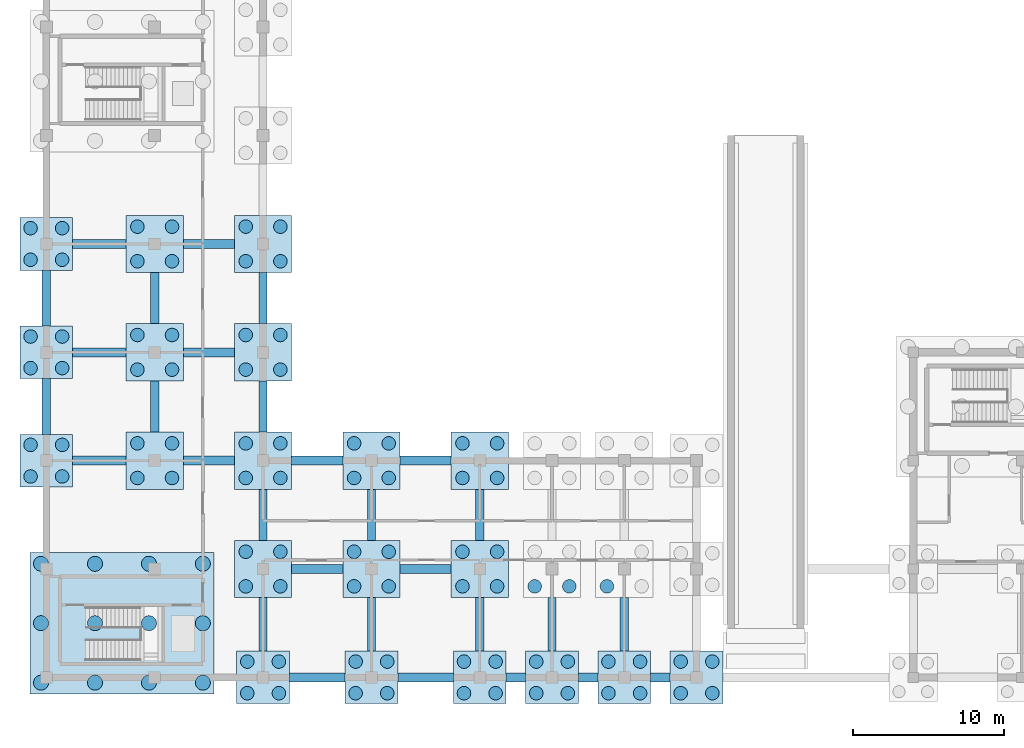
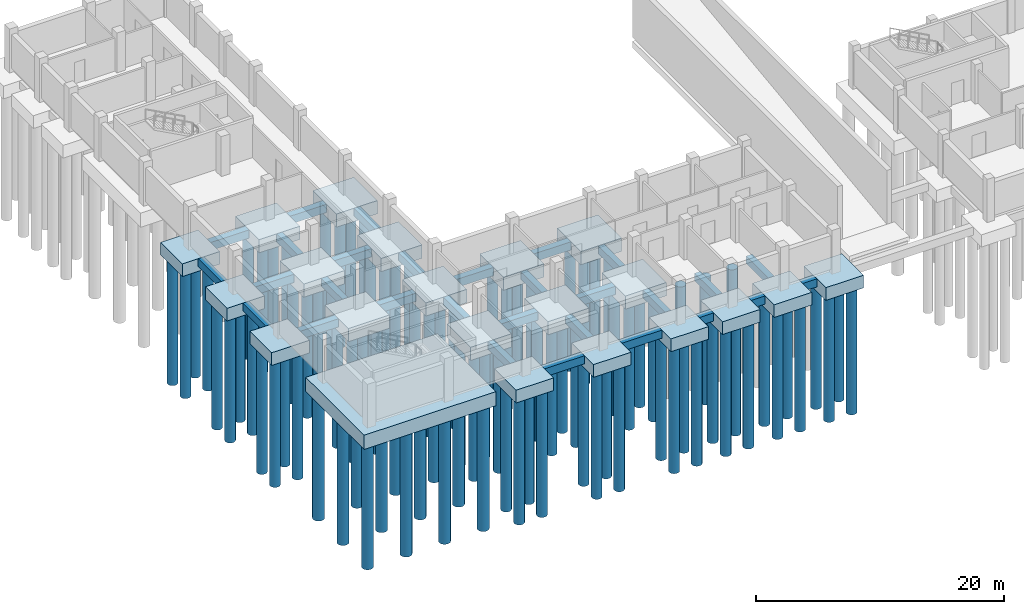
# One storey, part 1 of 10: 95 piles, 50 footings.
"""IFC4 building model written with IfcOpenShell, lengths in metres."""

from ifc_helpers import new_model, si_unit, direction, frame, origin, origin_2d, place, context, subcontext, project, spatial, rectangle, circle, extrude, material, material_profile, profile_set, type_object, element, save


model = new_model("IFC4")

# Units and contexts
model_context = context("Model", 3, precision=1e-05, world=origin(), true_north=direction((0.0, 1.0)))
body_context = subcontext(model_context, "Body", "Model", "MODEL_VIEW")
ifc_project = project(units=[si_unit("LENGTHUNIT", "METRE"), si_unit("AREAUNIT", "SQUARE_METRE"), si_unit("VOLUMEUNIT", "CUBIC_METRE"), si_unit("PLANEANGLEUNIT", "RADIAN"), si_unit("MASSUNIT", "GRAM", prefix="KILO")], contexts=[model_context])

# Site, building, storey
site_placement = place(None, origin())
site = spatial("IfcSite", under=ifc_project, at=site_placement, CompositionType="ELEMENT")
building_placement = place(site_placement, origin())
building = spatial("IfcBuilding", under=site, at=building_placement, Name="Zornivar Specialist Clinic", CompositionType="ELEMENT")
storey_placement = place(building_placement, frame((0.0, 0.0, -4.199951171875)))
storey = spatial("IfcBuildingStorey", under=building, at=storey_placement, Name="B1", CompositionType="ELEMENT", Elevation=-4.199951171875)

# Footings
ifc_material_1 = material(Name="Concrete C30/37", Category="concrete")
ifc_material_profile_1 = material_profile(ifc_material_1, rectangle(XDim=0.550048828125, YDim=0.75, at=origin_2d()), Name="RC 550x750")
ifc_profile_set_1 = profile_set([ifc_material_profile_1], Name="Concrete C30/37")
footing_type_1 = type_object("IfcFootingType", Name="FTG-GB-550x750", PredefinedType="FOOTING_BEAM", material=ifc_profile_set_1)
footing_1_placement = place(storey_placement, frame((0.0, 16.14990234375, -0.775146484375), z_axis=(0.0, 1.0, 0.0), x_axis=(-1.0, 0.0, 0.0)))
element("IfcFooting", 1, at=footing_1_placement, inside=storey, type_object=footing_type_1, Name="gb:B1:y:0:162", PredefinedType="FOOTING_BEAM", context=body_context, shape_type="SweptSolid", body=[
    extrude(rectangle(XDim=0.550048828125, YDim=0.75, at=origin_2d()), origin(), (0.0, 0.0, 1.0), 3.7001953125),
])
footing_2_placement = place(storey_placement, frame((0.0, 23.35009765625, -0.775146484375), z_axis=(0.0, 1.0, 0.0), x_axis=(-1.0, 0.0, 0.0)))
element("IfcFooting", 2, at=footing_2_placement, inside=storey, type_object=footing_type_1, Name="gb:B1:y:0:234", PredefinedType="FOOTING_BEAM", context=body_context, shape_type="SweptSolid", body=[
    extrude(rectangle(XDim=0.550048828125, YDim=0.75, at=origin_2d()), origin(), (0.0, 0.0, 1.0), 3.699951171875),
])
for number, where, z_axis, x_axis, name in (
    (3, (7.199951171875, 16.300048828125, -0.775146484375), (0.0, 1.0, 0.0), (-1.0, 0.0, 0.0), "gb:B1:y:72:163"),
    (4, (7.199951171875, 23.5, -0.775146484375), (0.0, 1.0, 0.0), (-1.0, 0.0, 0.0), "gb:B1:y:72:235"),
):
    element("IfcFooting", number, at=place(storey_placement, frame(where, z_axis=z_axis, x_axis=x_axis)), inside=storey, type_object=footing_type_1, Name=name, PredefinedType="FOOTING_BEAM", context=body_context, shape_type="SweptSolid", body=[
        extrude(rectangle(XDim=0.550048828125, YDim=0.75, at=origin_2d()), origin(), (0.0, 0.0, 1.0), 3.39990234375),
    ])
footing_3_placement = place(storey_placement, frame((14.39990234375, 1.75, -0.775146484375), z_axis=(0.0, 1.0, 0.0), x_axis=(-1.0, 0.0, 0.0)))
element("IfcFooting", 5, at=footing_3_placement, inside=storey, type_object=footing_type_1, Name="gb:B1:y:144:18", PredefinedType="FOOTING_BEAM", context=body_context, shape_type="SweptSolid", body=[
    extrude(rectangle(XDim=0.550048828125, YDim=0.75, at=origin_2d()), origin(), (0.0, 0.0, 1.0), 3.550048828125),
])
for number, where, z_axis, x_axis, name in (
    (6, (14.39990234375, 9.10009765625, -0.775146484375), (0.0, 1.0, 0.0), (-1.0, 0.0, 0.0), "gb:B1:y:144:91"),
    (7, (14.39990234375, 16.300048828125, -0.775146484375), (0.0, 1.0, 0.0), (-1.0, 0.0, 0.0), "gb:B1:y:144:163"),
    (8, (14.39990234375, 23.5, -0.775146484375), (0.0, 1.0, 0.0), (-1.0, 0.0, 0.0), "gb:B1:y:144:235"),
):
    element("IfcFooting", number, at=place(storey_placement, frame(where, z_axis=z_axis, x_axis=x_axis)), inside=storey, type_object=footing_type_1, Name=name, PredefinedType="FOOTING_BEAM", context=body_context, shape_type="SweptSolid", body=[
        extrude(rectangle(XDim=0.550048828125, YDim=0.75, at=origin_2d()), origin(), (0.0, 0.0, 1.0), 3.39990234375),
    ])
footing_4_placement = place(storey_placement, frame((21.60009765625, 1.75, -0.775146484375), z_axis=(0.0, 1.0, 0.0), x_axis=(-1.0, 0.0, 0.0)))
element("IfcFooting", 9, at=footing_4_placement, inside=storey, type_object=footing_type_1, Name="gb:B1:y:216:18", PredefinedType="FOOTING_BEAM", context=body_context, shape_type="SweptSolid", body=[
    extrude(rectangle(XDim=0.550048828125, YDim=0.75, at=origin_2d()), origin(), (0.0, 0.0, 1.0), 3.550048828125),
])
footing_5_placement = place(storey_placement, frame((21.60009765625, 9.10009765625, -0.775146484375), z_axis=(0.0, 1.0, 0.0), x_axis=(-1.0, 0.0, 0.0)))
element("IfcFooting", 10, at=footing_5_placement, inside=storey, type_object=footing_type_1, Name="gb:B1:y:216:91", PredefinedType="FOOTING_BEAM", context=body_context, shape_type="SweptSolid", body=[
    extrude(rectangle(XDim=0.550048828125, YDim=0.75, at=origin_2d()), origin(), (0.0, 0.0, 1.0), 3.39990234375),
])
footing_6_placement = place(storey_placement, frame((28.800048828125, 1.75, -0.775146484375), z_axis=(0.0, 1.0, 0.0), x_axis=(-1.0, 0.0, 0.0)))
element("IfcFooting", 11, at=footing_6_placement, inside=storey, type_object=footing_type_1, Name="gb:B1:y:288:18", PredefinedType="FOOTING_BEAM", context=body_context, shape_type="SweptSolid", body=[
    extrude(rectangle(XDim=0.550048828125, YDim=0.75, at=origin_2d()), origin(), (0.0, 0.0, 1.0), 3.550048828125),
])
footing_7_placement = place(storey_placement, frame((28.800048828125, 9.10009765625, -0.775146484375), z_axis=(0.0, 1.0, 0.0), x_axis=(-1.0, 0.0, 0.0)))
element("IfcFooting", 12, at=footing_7_placement, inside=storey, type_object=footing_type_1, Name="gb:B1:y:288:91", PredefinedType="FOOTING_BEAM", context=body_context, shape_type="SweptSolid", body=[
    extrude(rectangle(XDim=0.550048828125, YDim=0.75, at=origin_2d()), origin(), (0.0, 0.0, 1.0), 3.39990234375),
])
for number, where, z_axis, x_axis, name in (
    (13, (33.60009765625, 1.75, -0.775146484375), (0.0, 1.0, 0.0), (-1.0, 0.0, 0.0), "gb:B1:y:336:18"),
    (14, (38.39990234375, 1.75, -0.775146484375), (0.0, 1.0, 0.0), (-1.0, 0.0, 0.0), "gb:B1:y:384:18"),
):
    element("IfcFooting", number, at=place(storey_placement, frame(where, z_axis=z_axis, x_axis=x_axis)), inside=storey, type_object=footing_type_1, Name=name, PredefinedType="FOOTING_BEAM", context=body_context, shape_type="SweptSolid", body=[
        extrude(rectangle(XDim=0.550048828125, YDim=0.75, at=origin_2d()), origin(), (0.0, 0.0, 1.0), 3.550048828125),
    ])
ifc_material_2 = material(Name="Concrete C30/37", Category="concrete")
ifc_material_profile_2 = material_profile(ifc_material_2, rectangle(XDim=0.60009765625, YDim=0.800048828125, at=origin_2d()), Name="RC 600x800")
ifc_profile_set_2 = profile_set([ifc_material_profile_2], Name="Concrete C30/37")
footing_type_2 = type_object("IfcFootingType", Name="FTG-GB-600x800", PredefinedType="FOOTING_BEAM", material=ifc_profile_set_2)
footing_8_placement = place(storey_placement, frame((16.14990234375, 0.0, -0.800048828125), z_axis=(1.0, 0.0, 0.0), x_axis=(0.0, 1.0, 0.0)))
element("IfcFooting", 15, at=footing_8_placement, inside=storey, type_object=footing_type_2, Name="gb:B1:x:0:162", PredefinedType="FOOTING_BEAM", context=body_context, shape_type="SweptSolid", body=[
    extrude(rectangle(XDim=0.60009765625, YDim=0.800048828125, at=origin_2d()), origin(), (0.0, 0.0, 1.0), 3.7001953125),
])
footing_9_placement = place(storey_placement, frame((23.35009765625, 0.0, -0.800048828125), z_axis=(1.0, 0.0, 0.0), x_axis=(0.0, 1.0, 0.0)))
element("IfcFooting", 16, at=footing_9_placement, inside=storey, type_object=footing_type_2, Name="gb:B1:x:0:234", PredefinedType="FOOTING_BEAM", context=body_context, shape_type="SweptSolid", body=[
    extrude(rectangle(XDim=0.60009765625, YDim=0.800048828125, at=origin_2d()), origin(), (0.0, 0.0, 1.0), 3.699951171875),
])
footing_10_placement = place(storey_placement, frame((30.550048828125, 0.0, -0.800048828125), z_axis=(1.0, 0.0, 0.0), x_axis=(0.0, 1.0, 0.0)))
element("IfcFooting", 17, at=footing_10_placement, inside=storey, type_object=footing_type_2, Name="gb:B1:x:0:306", PredefinedType="FOOTING_BEAM", context=body_context, shape_type="SweptSolid", body=[
    extrude(rectangle(XDim=0.60009765625, YDim=0.800048828125, at=origin_2d()), origin(), (0.0, 0.0, 1.0), 1.300048828125),
])
footing_11_placement = place(storey_placement, frame((35.35009765625, 0.0, -0.800048828125), z_axis=(1.0, 0.0, 0.0), x_axis=(0.0, 1.0, 0.0)))
element("IfcFooting", 18, at=footing_11_placement, inside=storey, type_object=footing_type_2, Name="gb:B1:x:0:354", PredefinedType="FOOTING_BEAM", context=body_context, shape_type="SweptSolid", body=[
    extrude(rectangle(XDim=0.60009765625, YDim=0.800048828125, at=origin_2d()), origin(), (0.0, 0.0, 1.0), 1.2998046875),
])
footing_12_placement = place(storey_placement, frame((40.14990234375, 0.0, -0.800048828125), z_axis=(1.0, 0.0, 0.0), x_axis=(0.0, 1.0, 0.0)))
element("IfcFooting", 19, at=footing_12_placement, inside=storey, type_object=footing_type_2, Name="gb:B1:x:0:402", PredefinedType="FOOTING_BEAM", context=body_context, shape_type="SweptSolid", body=[
    extrude(rectangle(XDim=0.60009765625, YDim=0.800048828125, at=origin_2d()), origin(), (0.0, 0.0, 1.0), 1.300048828125),
])
for number, where, z_axis, x_axis, name in (
    (20, (16.300048828125, 7.199951171875, -0.800048828125), (1.0, 0.0, 0.0), (0.0, 1.0, 0.0), "gb:B1:x:72:163"),
    (21, (23.5, 7.199951171875, -0.800048828125), (1.0, 0.0, 0.0), (0.0, 1.0, 0.0), "gb:B1:x:72:235"),
):
    element("IfcFooting", number, at=place(storey_placement, frame(where, z_axis=z_axis, x_axis=x_axis)), inside=storey, type_object=footing_type_2, Name=name, PredefinedType="FOOTING_BEAM", context=body_context, shape_type="SweptSolid", body=[
        extrude(rectangle(XDim=0.60009765625, YDim=0.800048828125, at=origin_2d()), origin(), (0.0, 0.0, 1.0), 3.39990234375),
    ])
footing_13_placement = place(storey_placement, frame((1.75, 14.39990234375, -0.800048828125), z_axis=(1.0, 0.0, 0.0), x_axis=(0.0, 1.0, 0.0)))
element("IfcFooting", 22, at=footing_13_placement, inside=storey, type_object=footing_type_2, Name="gb:B1:x:144:18", PredefinedType="FOOTING_BEAM", context=body_context, shape_type="SweptSolid", body=[
    extrude(rectangle(XDim=0.60009765625, YDim=0.800048828125, at=origin_2d()), origin(), (0.0, 0.0, 1.0), 3.550048828125),
])
for number, where, z_axis, x_axis, name in (
    (23, (9.10009765625, 14.39990234375, -0.800048828125), (1.0, 0.0, 0.0), (0.0, 1.0, 0.0), "gb:B1:x:144:91"),
    (24, (16.300048828125, 14.39990234375, -0.800048828125), (1.0, 0.0, 0.0), (0.0, 1.0, 0.0), "gb:B1:x:144:163"),
    (25, (23.5, 14.39990234375, -0.800048828125), (1.0, 0.0, 0.0), (0.0, 1.0, 0.0), "gb:B1:x:144:235"),
):
    element("IfcFooting", number, at=place(storey_placement, frame(where, z_axis=z_axis, x_axis=x_axis)), inside=storey, type_object=footing_type_2, Name=name, PredefinedType="FOOTING_BEAM", context=body_context, shape_type="SweptSolid", body=[
        extrude(rectangle(XDim=0.60009765625, YDim=0.800048828125, at=origin_2d()), origin(), (0.0, 0.0, 1.0), 3.39990234375),
    ])
footing_14_placement = place(storey_placement, frame((1.75, 21.60009765625, -0.800048828125), z_axis=(1.0, 0.0, 0.0), x_axis=(0.0, 1.0, 0.0)))
element("IfcFooting", 26, at=footing_14_placement, inside=storey, type_object=footing_type_2, Name="gb:B1:x:216:18", PredefinedType="FOOTING_BEAM", context=body_context, shape_type="SweptSolid", body=[
    extrude(rectangle(XDim=0.60009765625, YDim=0.800048828125, at=origin_2d()), origin(), (0.0, 0.0, 1.0), 3.550048828125),
])
footing_15_placement = place(storey_placement, frame((9.10009765625, 21.60009765625, -0.800048828125), z_axis=(1.0, 0.0, 0.0), x_axis=(0.0, 1.0, 0.0)))
element("IfcFooting", 27, at=footing_15_placement, inside=storey, type_object=footing_type_2, Name="gb:B1:x:216:91", PredefinedType="FOOTING_BEAM", context=body_context, shape_type="SweptSolid", body=[
    extrude(rectangle(XDim=0.60009765625, YDim=0.800048828125, at=origin_2d()), origin(), (0.0, 0.0, 1.0), 3.39990234375),
])
footing_16_placement = place(storey_placement, frame((1.75, 28.800048828125, -0.800048828125), z_axis=(1.0, 0.0, 0.0), x_axis=(0.0, 1.0, 0.0)))
element("IfcFooting", 28, at=footing_16_placement, inside=storey, type_object=footing_type_2, Name="gb:B1:x:288:18", PredefinedType="FOOTING_BEAM", context=body_context, shape_type="SweptSolid", body=[
    extrude(rectangle(XDim=0.60009765625, YDim=0.800048828125, at=origin_2d()), origin(), (0.0, 0.0, 1.0), 3.550048828125),
])
footing_17_placement = place(storey_placement, frame((9.10009765625, 28.800048828125, -0.800048828125), z_axis=(1.0, 0.0, 0.0), x_axis=(0.0, 1.0, 0.0)))
element("IfcFooting", 29, at=footing_17_placement, inside=storey, type_object=footing_type_2, Name="gb:B1:x:288:91", PredefinedType="FOOTING_BEAM", context=body_context, shape_type="SweptSolid", body=[
    extrude(rectangle(XDim=0.60009765625, YDim=0.800048828125, at=origin_2d()), origin(), (0.0, 0.0, 1.0), 3.39990234375),
])
ifc_material_3 = material(Name="Concrete C30/37", Category="concrete")
footing_type_3 = type_object("IfcFootingType", Name="FTG-PC-4P-350x350x125", PredefinedType="PILE_CAP", material=ifc_material_3)
for number, where, z_axis, x_axis, name in (
    (30, (0.0, 14.39990234375, -1.650146484375), (0.0, 0.0, 1.0), (1.0, 0.0, 0.0), "ftg:V2:0_14400"),
    (31, (0.0, 21.60009765625, -1.650146484375), (0.0, 0.0, 1.0), (1.0, 0.0, 0.0), "ftg:V2:0_21600"),
    (32, (0.0, 28.800048828125, -1.650146484375), (0.0, 0.0, 1.0), (1.0, 0.0, 0.0), "ftg:V2:0_28800"),
    (33, (14.39990234375, 0.0, -1.650146484375), (0.0, 0.0, 1.0), (1.0, 0.0, 0.0), "ftg:V2:14400_0"),
    (34, (21.60009765625, 0.0, -1.650146484375), (0.0, 0.0, 1.0), (1.0, 0.0, 0.0), "ftg:V2:21600_0"),
    (35, (28.800048828125, 0.0, -1.650146484375), (0.0, 0.0, 1.0), (1.0, 0.0, 0.0), "ftg:V2:28800_0"),
    (36, (33.60009765625, 0.0, -1.650146484375), (0.0, 0.0, 1.0), (1.0, 0.0, 0.0), "ftg:V2:33600_0"),
    (37, (38.39990234375, 0.0, -1.650146484375), (0.0, 0.0, 1.0), (1.0, 0.0, 0.0), "ftg:V2:38400_0"),
    (38, (43.199951171875, 0.0, -1.650146484375), (0.0, 0.0, 1.0), (1.0, 0.0, 0.0), "ftg:V2:43200_0"),
):
    element("IfcFooting", number, at=place(storey_placement, frame(where, z_axis=z_axis, x_axis=x_axis)), inside=storey, type_object=footing_type_3, Name=name, PredefinedType="PILE_CAP", context=body_context, shape_type="SweptSolid", body=[
        extrude(rectangle(XDim=3.5, YDim=3.5, at=origin_2d()), origin(), (0.0, 0.0, 1.0), 1.25),
    ])
ifc_material_4 = material(Name="Concrete C30/37", Category="concrete")
footing_type_4 = type_object("IfcFootingType", Name="FTG-PC-4P-380x380x130", PredefinedType="PILE_CAP", material=ifc_material_4)
for number, where, z_axis, x_axis, name in (
    (39, (7.199951171875, 14.39990234375, -1.7001953125), (0.0, 0.0, 1.0), (1.0, 0.0, 0.0), "ftg:V2:7200_14400"),
    (40, (7.199951171875, 21.60009765625, -1.7001953125), (0.0, 0.0, 1.0), (1.0, 0.0, 0.0), "ftg:V2:7200_21600"),
    (41, (7.199951171875, 28.800048828125, -1.7001953125), (0.0, 0.0, 1.0), (1.0, 0.0, 0.0), "ftg:V2:7200_28800"),
    (42, (14.39990234375, 7.199951171875, -1.7001953125), (0.0, 0.0, 1.0), (1.0, 0.0, 0.0), "ftg:V2:14400_7200"),
    (43, (14.39990234375, 14.39990234375, -1.7001953125), (0.0, 0.0, 1.0), (1.0, 0.0, 0.0), "ftg:V2:14400_14400"),
    (44, (14.39990234375, 21.60009765625, -1.7001953125), (0.0, 0.0, 1.0), (1.0, 0.0, 0.0), "ftg:V2:14400_21600"),
    (45, (14.39990234375, 28.800048828125, -1.7001953125), (0.0, 0.0, 1.0), (1.0, 0.0, 0.0), "ftg:V2:14400_28800"),
    (46, (21.60009765625, 7.199951171875, -1.7001953125), (0.0, 0.0, 1.0), (1.0, 0.0, 0.0), "ftg:V2:21600_7200"),
    (47, (21.60009765625, 14.39990234375, -1.7001953125), (0.0, 0.0, 1.0), (1.0, 0.0, 0.0), "ftg:V2:21600_14400"),
    (48, (28.800048828125, 7.199951171875, -1.7001953125), (0.0, 0.0, 1.0), (1.0, 0.0, 0.0), "ftg:V2:28800_7200"),
    (49, (28.800048828125, 14.39990234375, -1.7001953125), (0.0, 0.0, 1.0), (1.0, 0.0, 0.0), "ftg:V2:28800_14400"),
):
    element("IfcFooting", number, at=place(storey_placement, frame(where, z_axis=z_axis, x_axis=x_axis)), inside=storey, type_object=footing_type_4, Name=name, PredefinedType="PILE_CAP", context=body_context, shape_type="SweptSolid", body=[
        extrude(rectangle(XDim=3.800048828125, YDim=3.800048828125, at=origin_2d()), origin(), (0.0, 0.0, 1.0), 1.300048828125),
    ])
ifc_material_5 = material(Name="Concrete C30/37", Category="concrete")
footing_type_5 = type_object("IfcFootingType", Name="FTG-PC-COMB-1225x940x140", PredefinedType="PILE_CAP", material=ifc_material_5)
footing_18_placement = place(storey_placement, frame((5.02490234375, 3.60009765625, -1.800048828125), z_axis=(0.0, 0.0, 1.0), x_axis=(1.0, 0.0, 0.0)))
element("IfcFooting", 50, at=footing_18_placement, inside=storey, type_object=footing_type_5, Name="ftg:core:C1", PredefinedType="PILE_CAP", context=body_context, shape_type="SweptSolid", body=[
    extrude(rectangle(XDim=12.25, YDim=9.39990234375, at=origin_2d()), origin(), (0.0, 0.0, 1.0), 1.39990234375),
])

# Piles
ifc_material_6 = material(Name="Concrete C30/37", Category="concrete")
ifc_material_profile_3 = material_profile(ifc_material_6, circle(Radius=0.5, at=origin_2d()), Name="PILE D1000")
ifc_profile_set_3 = profile_set([ifc_material_profile_3], Name="Concrete C30/37")
pile_type_1 = type_object("IfcPileType", Name="PILE-BORED-1000", PredefinedType="BORED", material=ifc_profile_set_3)
for number, where, z_axis, x_axis, name in (
    (51, (-0.35009765625, -0.35009765625, -1.699951171875), (0.0, 0.0, -1.0), (1.0, 0.0, 0.0), "pile:ftg:core:C1:0"),
    (52, (-0.35009765625, 3.60009765625, -1.699951171875), (0.0, 0.0, -1.0), (1.0, 0.0, 0.0), "pile:ftg:core:C1:1"),
    (53, (-0.35009765625, 7.550048828125, -1.699951171875), (0.0, 0.0, -1.0), (1.0, 0.0, 0.0), "pile:ftg:core:C1:2"),
    (54, (3.23291015625, -0.35009765625, -1.699951171875), (0.0, 0.0, -1.0), (1.0, 0.0, 0.0), "pile:ftg:core:C1:3"),
    (55, (3.23291015625, 3.60009765625, -1.699951171875), (0.0, 0.0, -1.0), (1.0, 0.0, 0.0), "pile:ftg:core:C1:4"),
    (56, (3.23291015625, 7.550048828125, -1.699951171875), (0.0, 0.0, -1.0), (1.0, 0.0, 0.0), "pile:ftg:core:C1:5"),
    (57, (6.81689453125, -0.35009765625, -1.699951171875), (0.0, 0.0, -1.0), (1.0, 0.0, 0.0), "pile:ftg:core:C1:6"),
    (58, (6.81689453125, 3.60009765625, -1.699951171875), (0.0, 0.0, -1.0), (1.0, 0.0, 0.0), "pile:ftg:core:C1:7"),
    (59, (6.81689453125, 7.550048828125, -1.699951171875), (0.0, 0.0, -1.0), (1.0, 0.0, 0.0), "pile:ftg:core:C1:8"),
    (60, (10.39990234375, -0.35009765625, -1.699951171875), (0.0, 0.0, -1.0), (1.0, 0.0, 0.0), "pile:ftg:core:C1:9"),
    (61, (10.39990234375, 3.60009765625, -1.699951171875), (0.0, 0.0, -1.0), (1.0, 0.0, 0.0), "pile:ftg:core:C1:10"),
    (62, (10.39990234375, 7.550048828125, -1.699951171875), (0.0, 0.0, -1.0), (1.0, 0.0, 0.0), "pile:ftg:core:C1:11"),
):
    element("IfcPile", number, at=place(storey_placement, frame(where, z_axis=z_axis, x_axis=x_axis)), inside=storey, type_object=pile_type_1, Name=name, PredefinedType="BORED", context=body_context, shape_type="SweptSolid", body=[
        extrude(circle(Radius=0.5, at=origin_2d()), origin(), (0.0, 0.0, 1.0), 12.300048828125),
    ])
ifc_material_7 = material(Name="Concrete C30/37", Category="concrete")
ifc_material_profile_4 = material_profile(ifc_material_7, circle(Radius=0.449951171875, at=origin_2d()), Name="PILE D900")
ifc_profile_set_4 = profile_set([ifc_material_profile_4], Name="Concrete C30/37")
pile_type_2 = type_object("IfcPileType", Name="PILE-BORED-900", PredefinedType="BORED", material=ifc_profile_set_4)
for number, where, z_axis, x_axis, name in (
    (63, (-1.050048828125, 13.35009765625, -1.550048828125), (0.0, 0.0, -1.0), (1.0, 0.0, 0.0), "pile:ftg:V2:0_14400:0"),
    (64, (1.050048828125, 13.35009765625, -1.550048828125), (0.0, 0.0, -1.0), (1.0, 0.0, 0.0), "pile:ftg:V2:0_14400:1"),
    (65, (-1.050048828125, 15.449951171875, -1.550048828125), (0.0, 0.0, -1.0), (1.0, 0.0, 0.0), "pile:ftg:V2:0_14400:2"),
    (66, (1.050048828125, 15.449951171875, -1.550048828125), (0.0, 0.0, -1.0), (1.0, 0.0, 0.0), "pile:ftg:V2:0_14400:3"),
    (67, (-1.050048828125, 20.550048828125, -1.550048828125), (0.0, 0.0, -1.0), (1.0, 0.0, 0.0), "pile:ftg:V2:0_21600:0"),
    (68, (1.050048828125, 20.550048828125, -1.550048828125), (0.0, 0.0, -1.0), (1.0, 0.0, 0.0), "pile:ftg:V2:0_21600:1"),
    (69, (-1.050048828125, 22.64990234375, -1.550048828125), (0.0, 0.0, -1.0), (1.0, 0.0, 0.0), "pile:ftg:V2:0_21600:2"),
    (70, (1.050048828125, 22.64990234375, -1.550048828125), (0.0, 0.0, -1.0), (1.0, 0.0, 0.0), "pile:ftg:V2:0_21600:3"),
    (71, (-1.050048828125, 27.75, -1.550048828125), (0.0, 0.0, -1.0), (1.0, 0.0, 0.0), "pile:ftg:V2:0_28800:0"),
    (72, (1.050048828125, 27.75, -1.550048828125), (0.0, 0.0, -1.0), (1.0, 0.0, 0.0), "pile:ftg:V2:0_28800:1"),
    (73, (-1.050048828125, 29.85009765625, -1.550048828125), (0.0, 0.0, -1.0), (1.0, 0.0, 0.0), "pile:ftg:V2:0_28800:2"),
    (74, (1.050048828125, 29.85009765625, -1.550048828125), (0.0, 0.0, -1.0), (1.0, 0.0, 0.0), "pile:ftg:V2:0_28800:3"),
):
    element("IfcPile", number, at=place(storey_placement, frame(where, z_axis=z_axis, x_axis=x_axis)), inside=storey, type_object=pile_type_2, Name=name, PredefinedType="BORED", context=body_context, shape_type="SweptSolid", body=[
        extrude(circle(Radius=0.449951171875, at=origin_2d()), origin(), (0.0, 0.0, 1.0), 12.449951171875),
    ])
for number, where, z_axis, x_axis, name in (
    (75, (6.050048828125, 13.25, -1.60009765625), (0.0, 0.0, -1.0), (1.0, 0.0, 0.0), "pile:ftg:V2:7200_14400:0"),
    (76, (8.35009765625, 13.25, -1.60009765625), (0.0, 0.0, -1.0), (1.0, 0.0, 0.0), "pile:ftg:V2:7200_14400:1"),
    (77, (6.050048828125, 15.550048828125, -1.60009765625), (0.0, 0.0, -1.0), (1.0, 0.0, 0.0), "pile:ftg:V2:7200_14400:2"),
    (78, (8.35009765625, 15.550048828125, -1.60009765625), (0.0, 0.0, -1.0), (1.0, 0.0, 0.0), "pile:ftg:V2:7200_14400:3"),
    (79, (6.050048828125, 20.449951171875, -1.60009765625), (0.0, 0.0, -1.0), (1.0, 0.0, 0.0), "pile:ftg:V2:7200_21600:0"),
    (80, (8.35009765625, 20.449951171875, -1.60009765625), (0.0, 0.0, -1.0), (1.0, 0.0, 0.0), "pile:ftg:V2:7200_21600:1"),
    (81, (6.050048828125, 22.75, -1.60009765625), (0.0, 0.0, -1.0), (1.0, 0.0, 0.0), "pile:ftg:V2:7200_21600:2"),
    (82, (8.35009765625, 22.75, -1.60009765625), (0.0, 0.0, -1.0), (1.0, 0.0, 0.0), "pile:ftg:V2:7200_21600:3"),
    (83, (6.050048828125, 27.64990234375, -1.60009765625), (0.0, 0.0, -1.0), (1.0, 0.0, 0.0), "pile:ftg:V2:7200_28800:0"),
    (84, (8.35009765625, 27.64990234375, -1.60009765625), (0.0, 0.0, -1.0), (1.0, 0.0, 0.0), "pile:ftg:V2:7200_28800:1"),
    (85, (6.050048828125, 29.949951171875, -1.60009765625), (0.0, 0.0, -1.0), (1.0, 0.0, 0.0), "pile:ftg:V2:7200_28800:2"),
    (86, (8.35009765625, 29.949951171875, -1.60009765625), (0.0, 0.0, -1.0), (1.0, 0.0, 0.0), "pile:ftg:V2:7200_28800:3"),
):
    element("IfcPile", number, at=place(storey_placement, frame(where, z_axis=z_axis, x_axis=x_axis)), inside=storey, type_object=pile_type_2, Name=name, PredefinedType="BORED", context=body_context, shape_type="SweptSolid", body=[
        extrude(circle(Radius=0.449951171875, at=origin_2d()), origin(), (0.0, 0.0, 1.0), 12.39990234375),
    ])
for number, where, z_axis, x_axis, name in (
    (87, (13.35009765625, -1.050048828125, -1.550048828125), (0.0, 0.0, -1.0), (1.0, 0.0, 0.0), "pile:ftg:V2:14400_0:0"),
    (88, (15.449951171875, -1.050048828125, -1.550048828125), (0.0, 0.0, -1.0), (1.0, 0.0, 0.0), "pile:ftg:V2:14400_0:1"),
    (89, (13.35009765625, 1.050048828125, -1.550048828125), (0.0, 0.0, -1.0), (1.0, 0.0, 0.0), "pile:ftg:V2:14400_0:2"),
    (90, (15.449951171875, 1.050048828125, -1.550048828125), (0.0, 0.0, -1.0), (1.0, 0.0, 0.0), "pile:ftg:V2:14400_0:3"),
):
    element("IfcPile", number, at=place(storey_placement, frame(where, z_axis=z_axis, x_axis=x_axis)), inside=storey, type_object=pile_type_2, Name=name, PredefinedType="BORED", context=body_context, shape_type="SweptSolid", body=[
        extrude(circle(Radius=0.449951171875, at=origin_2d()), origin(), (0.0, 0.0, 1.0), 12.449951171875),
    ])
for number, where, z_axis, x_axis, name in (
    (91, (13.25, 6.050048828125, -1.60009765625), (0.0, 0.0, -1.0), (1.0, 0.0, 0.0), "pile:ftg:V2:14400_7200:0"),
    (92, (15.550048828125, 6.050048828125, -1.60009765625), (0.0, 0.0, -1.0), (1.0, 0.0, 0.0), "pile:ftg:V2:14400_7200:1"),
    (93, (13.25, 8.35009765625, -1.60009765625), (0.0, 0.0, -1.0), (1.0, 0.0, 0.0), "pile:ftg:V2:14400_7200:2"),
    (94, (15.550048828125, 8.35009765625, -1.60009765625), (0.0, 0.0, -1.0), (1.0, 0.0, 0.0), "pile:ftg:V2:14400_7200:3"),
    (95, (13.25, 13.25, -1.60009765625), (0.0, 0.0, -1.0), (1.0, 0.0, 0.0), "pile:ftg:V2:14400_14400:0"),
    (96, (15.550048828125, 13.25, -1.60009765625), (0.0, 0.0, -1.0), (1.0, 0.0, 0.0), "pile:ftg:V2:14400_14400:1"),
    (97, (13.25, 15.550048828125, -1.60009765625), (0.0, 0.0, -1.0), (1.0, 0.0, 0.0), "pile:ftg:V2:14400_14400:2"),
    (98, (15.550048828125, 15.550048828125, -1.60009765625), (0.0, 0.0, -1.0), (1.0, 0.0, 0.0), "pile:ftg:V2:14400_14400:3"),
    (99, (13.25, 20.449951171875, -1.60009765625), (0.0, 0.0, -1.0), (1.0, 0.0, 0.0), "pile:ftg:V2:14400_21600:0"),
    (100, (15.550048828125, 20.449951171875, -1.60009765625), (0.0, 0.0, -1.0), (1.0, 0.0, 0.0), "pile:ftg:V2:14400_21600:1"),
    (101, (13.25, 22.75, -1.60009765625), (0.0, 0.0, -1.0), (1.0, 0.0, 0.0), "pile:ftg:V2:14400_21600:2"),
    (102, (15.550048828125, 22.75, -1.60009765625), (0.0, 0.0, -1.0), (1.0, 0.0, 0.0), "pile:ftg:V2:14400_21600:3"),
    (103, (13.25, 27.64990234375, -1.60009765625), (0.0, 0.0, -1.0), (1.0, 0.0, 0.0), "pile:ftg:V2:14400_28800:0"),
    (104, (15.550048828125, 27.64990234375, -1.60009765625), (0.0, 0.0, -1.0), (1.0, 0.0, 0.0), "pile:ftg:V2:14400_28800:1"),
    (105, (13.25, 29.949951171875, -1.60009765625), (0.0, 0.0, -1.0), (1.0, 0.0, 0.0), "pile:ftg:V2:14400_28800:2"),
    (106, (15.550048828125, 29.949951171875, -1.60009765625), (0.0, 0.0, -1.0), (1.0, 0.0, 0.0), "pile:ftg:V2:14400_28800:3"),
):
    element("IfcPile", number, at=place(storey_placement, frame(where, z_axis=z_axis, x_axis=x_axis)), inside=storey, type_object=pile_type_2, Name=name, PredefinedType="BORED", context=body_context, shape_type="SweptSolid", body=[
        extrude(circle(Radius=0.449951171875, at=origin_2d()), origin(), (0.0, 0.0, 1.0), 12.39990234375),
    ])
for number, where, z_axis, x_axis, name in (
    (107, (20.550048828125, -1.050048828125, -1.550048828125), (0.0, 0.0, -1.0), (1.0, 0.0, 0.0), "pile:ftg:V2:21600_0:0"),
    (108, (22.64990234375, -1.050048828125, -1.550048828125), (0.0, 0.0, -1.0), (1.0, 0.0, 0.0), "pile:ftg:V2:21600_0:1"),
    (109, (20.550048828125, 1.050048828125, -1.550048828125), (0.0, 0.0, -1.0), (1.0, 0.0, 0.0), "pile:ftg:V2:21600_0:2"),
    (110, (22.64990234375, 1.050048828125, -1.550048828125), (0.0, 0.0, -1.0), (1.0, 0.0, 0.0), "pile:ftg:V2:21600_0:3"),
):
    element("IfcPile", number, at=place(storey_placement, frame(where, z_axis=z_axis, x_axis=x_axis)), inside=storey, type_object=pile_type_2, Name=name, PredefinedType="BORED", context=body_context, shape_type="SweptSolid", body=[
        extrude(circle(Radius=0.449951171875, at=origin_2d()), origin(), (0.0, 0.0, 1.0), 12.449951171875),
    ])
for number, where, z_axis, x_axis, name in (
    (111, (20.449951171875, 6.050048828125, -1.60009765625), (0.0, 0.0, -1.0), (1.0, 0.0, 0.0), "pile:ftg:V2:21600_7200:0"),
    (112, (22.75, 6.050048828125, -1.60009765625), (0.0, 0.0, -1.0), (1.0, 0.0, 0.0), "pile:ftg:V2:21600_7200:1"),
    (113, (20.449951171875, 8.35009765625, -1.60009765625), (0.0, 0.0, -1.0), (1.0, 0.0, 0.0), "pile:ftg:V2:21600_7200:2"),
    (114, (22.75, 8.35009765625, -1.60009765625), (0.0, 0.0, -1.0), (1.0, 0.0, 0.0), "pile:ftg:V2:21600_7200:3"),
    (115, (20.449951171875, 13.25, -1.60009765625), (0.0, 0.0, -1.0), (1.0, 0.0, 0.0), "pile:ftg:V2:21600_14400:0"),
    (116, (22.75, 13.25, -1.60009765625), (0.0, 0.0, -1.0), (1.0, 0.0, 0.0), "pile:ftg:V2:21600_14400:1"),
    (117, (20.449951171875, 15.550048828125, -1.60009765625), (0.0, 0.0, -1.0), (1.0, 0.0, 0.0), "pile:ftg:V2:21600_14400:2"),
    (118, (22.75, 15.550048828125, -1.60009765625), (0.0, 0.0, -1.0), (1.0, 0.0, 0.0), "pile:ftg:V2:21600_14400:3"),
):
    element("IfcPile", number, at=place(storey_placement, frame(where, z_axis=z_axis, x_axis=x_axis)), inside=storey, type_object=pile_type_2, Name=name, PredefinedType="BORED", context=body_context, shape_type="SweptSolid", body=[
        extrude(circle(Radius=0.449951171875, at=origin_2d()), origin(), (0.0, 0.0, 1.0), 12.39990234375),
    ])
for number, where, z_axis, x_axis, name in (
    (119, (27.75, -1.050048828125, -1.550048828125), (0.0, 0.0, -1.0), (1.0, 0.0, 0.0), "pile:ftg:V2:28800_0:0"),
    (120, (29.85009765625, -1.050048828125, -1.550048828125), (0.0, 0.0, -1.0), (1.0, 0.0, 0.0), "pile:ftg:V2:28800_0:1"),
    (121, (27.75, 1.050048828125, -1.550048828125), (0.0, 0.0, -1.0), (1.0, 0.0, 0.0), "pile:ftg:V2:28800_0:2"),
    (122, (29.85009765625, 1.050048828125, -1.550048828125), (0.0, 0.0, -1.0), (1.0, 0.0, 0.0), "pile:ftg:V2:28800_0:3"),
):
    element("IfcPile", number, at=place(storey_placement, frame(where, z_axis=z_axis, x_axis=x_axis)), inside=storey, type_object=pile_type_2, Name=name, PredefinedType="BORED", context=body_context, shape_type="SweptSolid", body=[
        extrude(circle(Radius=0.449951171875, at=origin_2d()), origin(), (0.0, 0.0, 1.0), 12.449951171875),
    ])
for number, where, z_axis, x_axis, name in (
    (123, (27.64990234375, 6.050048828125, -1.60009765625), (0.0, 0.0, -1.0), (1.0, 0.0, 0.0), "pile:ftg:V2:28800_7200:0"),
    (124, (29.949951171875, 6.050048828125, -1.60009765625), (0.0, 0.0, -1.0), (1.0, 0.0, 0.0), "pile:ftg:V2:28800_7200:1"),
    (125, (27.64990234375, 8.35009765625, -1.60009765625), (0.0, 0.0, -1.0), (1.0, 0.0, 0.0), "pile:ftg:V2:28800_7200:2"),
    (126, (29.949951171875, 8.35009765625, -1.60009765625), (0.0, 0.0, -1.0), (1.0, 0.0, 0.0), "pile:ftg:V2:28800_7200:3"),
    (127, (27.64990234375, 13.25, -1.60009765625), (0.0, 0.0, -1.0), (1.0, 0.0, 0.0), "pile:ftg:V2:28800_14400:0"),
    (128, (29.949951171875, 13.25, -1.60009765625), (0.0, 0.0, -1.0), (1.0, 0.0, 0.0), "pile:ftg:V2:28800_14400:1"),
    (129, (27.64990234375, 15.550048828125, -1.60009765625), (0.0, 0.0, -1.0), (1.0, 0.0, 0.0), "pile:ftg:V2:28800_14400:2"),
    (130, (29.949951171875, 15.550048828125, -1.60009765625), (0.0, 0.0, -1.0), (1.0, 0.0, 0.0), "pile:ftg:V2:28800_14400:3"),
):
    element("IfcPile", number, at=place(storey_placement, frame(where, z_axis=z_axis, x_axis=x_axis)), inside=storey, type_object=pile_type_2, Name=name, PredefinedType="BORED", context=body_context, shape_type="SweptSolid", body=[
        extrude(circle(Radius=0.449951171875, at=origin_2d()), origin(), (0.0, 0.0, 1.0), 12.39990234375),
    ])
for number, where, z_axis, x_axis, name in (
    (131, (32.550048828125, -1.050048828125, -1.550048828125), (0.0, 0.0, -1.0), (1.0, 0.0, 0.0), "pile:ftg:V2:33600_0:0"),
    (132, (34.64990234375, -1.050048828125, -1.550048828125), (0.0, 0.0, -1.0), (1.0, 0.0, 0.0), "pile:ftg:V2:33600_0:1"),
    (133, (32.550048828125, 1.050048828125, -1.550048828125), (0.0, 0.0, -1.0), (1.0, 0.0, 0.0), "pile:ftg:V2:33600_0:2"),
    (134, (34.64990234375, 1.050048828125, -1.550048828125), (0.0, 0.0, -1.0), (1.0, 0.0, 0.0), "pile:ftg:V2:33600_0:3"),
):
    element("IfcPile", number, at=place(storey_placement, frame(where, z_axis=z_axis, x_axis=x_axis)), inside=storey, type_object=pile_type_2, Name=name, PredefinedType="BORED", context=body_context, shape_type="SweptSolid", body=[
        extrude(circle(Radius=0.449951171875, at=origin_2d()), origin(), (0.0, 0.0, 1.0), 12.449951171875),
    ])
for number, where, z_axis, x_axis, name in (
    (135, (32.449951171875, 6.050048828125, -1.60009765625), (0.0, 0.0, -1.0), (1.0, 0.0, 0.0), "pile:ftg:V2:33600_7200:0"),
    (136, (34.75, 6.050048828125, -1.60009765625), (0.0, 0.0, -1.0), (1.0, 0.0, 0.0), "pile:ftg:V2:33600_7200:1"),
):
    element("IfcPile", number, at=place(storey_placement, frame(where, z_axis=z_axis, x_axis=x_axis)), inside=storey, type_object=pile_type_2, Name=name, PredefinedType="BORED", context=body_context, shape_type="SweptSolid", body=[
        extrude(circle(Radius=0.449951171875, at=origin_2d()), origin(), (0.0, 0.0, 1.0), 12.39990234375),
    ])
for number, where, z_axis, x_axis, name in (
    (137, (37.35009765625, -1.050048828125, -1.550048828125), (0.0, 0.0, -1.0), (1.0, 0.0, 0.0), "pile:ftg:V2:38400_0:0"),
    (138, (39.449951171875, -1.050048828125, -1.550048828125), (0.0, 0.0, -1.0), (1.0, 0.0, 0.0), "pile:ftg:V2:38400_0:1"),
    (139, (37.35009765625, 1.050048828125, -1.550048828125), (0.0, 0.0, -1.0), (1.0, 0.0, 0.0), "pile:ftg:V2:38400_0:2"),
    (140, (39.449951171875, 1.050048828125, -1.550048828125), (0.0, 0.0, -1.0), (1.0, 0.0, 0.0), "pile:ftg:V2:38400_0:3"),
):
    element("IfcPile", number, at=place(storey_placement, frame(where, z_axis=z_axis, x_axis=x_axis)), inside=storey, type_object=pile_type_2, Name=name, PredefinedType="BORED", context=body_context, shape_type="SweptSolid", body=[
        extrude(circle(Radius=0.449951171875, at=origin_2d()), origin(), (0.0, 0.0, 1.0), 12.449951171875),
    ])
pile_placement = place(storey_placement, frame((37.25, 6.050048828125, -1.60009765625), z_axis=(0.0, 0.0, -1.0), x_axis=(1.0, 0.0, 0.0)))
element("IfcPile", 141, at=pile_placement, inside=storey, type_object=pile_type_2, Name="pile:ftg:V2:38400_7200:0", PredefinedType="BORED", context=body_context, shape_type="SweptSolid", body=[
    extrude(circle(Radius=0.449951171875, at=origin_2d()), origin(), (0.0, 0.0, 1.0), 12.39990234375),
])
for number, where, z_axis, x_axis, name in (
    (142, (42.14990234375, -1.050048828125, -1.550048828125), (0.0, 0.0, -1.0), (1.0, 0.0, 0.0), "pile:ftg:V2:43200_0:0"),
    (143, (44.25, -1.050048828125, -1.550048828125), (0.0, 0.0, -1.0), (1.0, 0.0, 0.0), "pile:ftg:V2:43200_0:1"),
    (144, (42.14990234375, 1.050048828125, -1.550048828125), (0.0, 0.0, -1.0), (1.0, 0.0, 0.0), "pile:ftg:V2:43200_0:2"),
    (145, (44.25, 1.050048828125, -1.550048828125), (0.0, 0.0, -1.0), (1.0, 0.0, 0.0), "pile:ftg:V2:43200_0:3"),
):
    element("IfcPile", number, at=place(storey_placement, frame(where, z_axis=z_axis, x_axis=x_axis)), inside=storey, type_object=pile_type_2, Name=name, PredefinedType="BORED", context=body_context, shape_type="SweptSolid", body=[
        extrude(circle(Radius=0.449951171875, at=origin_2d()), origin(), (0.0, 0.0, 1.0), 12.449951171875),
    ])

save(model, "model.ifc")
